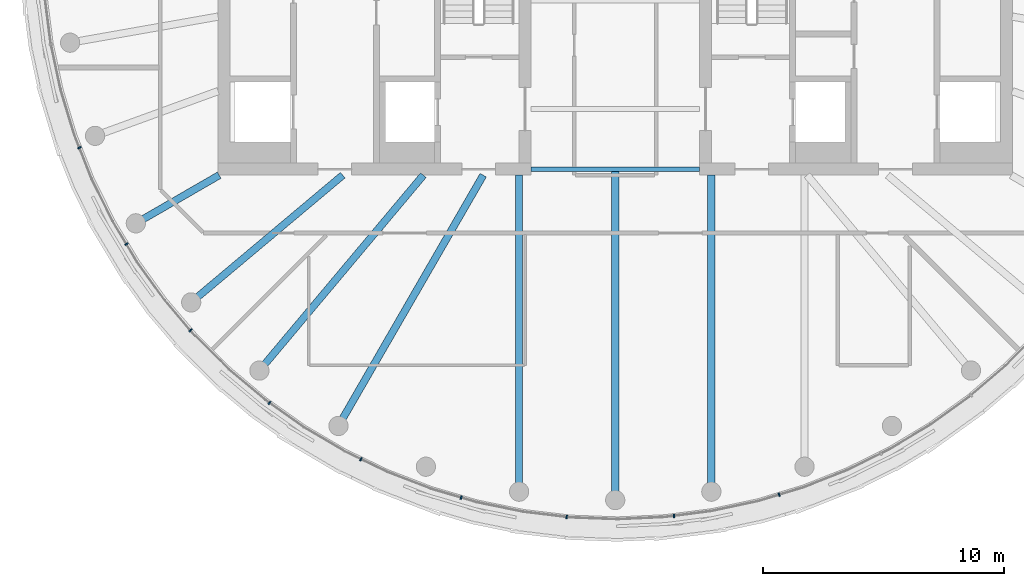
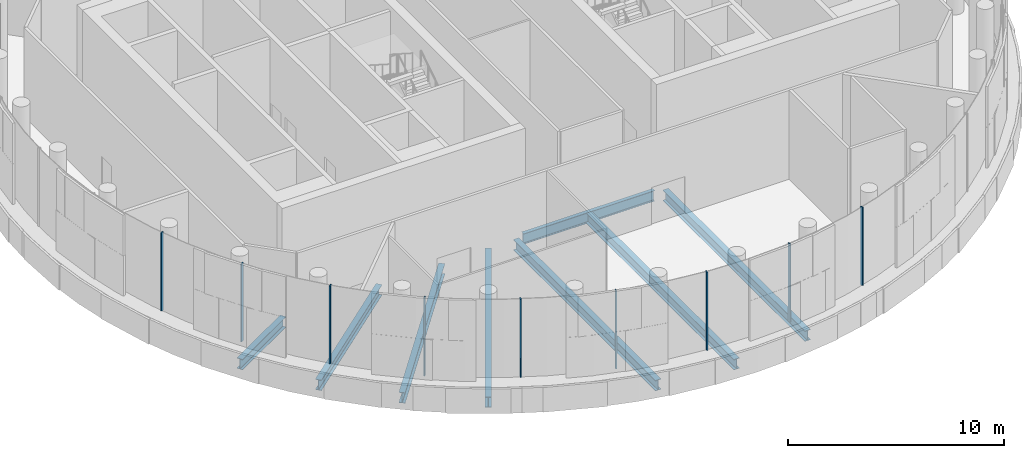
# One storey, part 2 of 18: 9 members, 8 beams, 1 element without a shape of its own.
"""IFC4 building model written with IfcOpenShell, lengths in metres."""

import ifcopenshell
import ifcopenshell.guid

model = None  # the IFC model being written
_history = None  # IfcOwnerHistory: only IFC2X3 demands one
_inside = {}  # id of a spatial element -> (the spatial element, [elements in it])
_under = {}  # id of a project, library or spatial element -> (it, [spatial elements below it])
_declared = {}  # id of a project -> (the project, [libraries it declares])
_typed = {}  # id of a type object -> (the type object, [elements of that type])
_made_of = {}  # id of a material, layer set ... -> (it, [elements and type objects made of it])


def new_model(schema):
    """Start an empty IFC model of exactly this schema.

    Asked for "IFC4X3", IfcOpenShell would pick the latest addendum, in which some entities
    have other attributes; the version numbers below select the first issue.
    IFC2X3 requires an IfcOwnerHistory on every rooted entity: one is made here for all.
    """
    global model, _history
    if schema == "IFC4X3":
        model = ifcopenshell.file(schema_version=(4, 3, 0, 0))
    else:
        model = ifcopenshell.file(schema=schema)
    _inside.clear()
    _under.clear()
    _declared.clear()
    _typed.clear()
    _made_of.clear()
    _history = None
    if model.schema == "IFC2X3":
        org = make("IfcOrganization", Name="unknown")
        user = make(
            "IfcPersonAndOrganization",
            ThePerson=make("IfcPerson", FamilyName="unknown"),
            TheOrganization=org,
        )
        app = make(
            "IfcApplication",
            ApplicationDeveloper=org,
            Version="unknown",
            ApplicationFullName="unknown",
            ApplicationIdentifier="unknown",
        )
        _history = make(
            "IfcOwnerHistory",
            OwningUser=user,
            OwningApplication=app,
            ChangeAction="ADDED",
            CreationDate=0,
        )
    return model


def make(cls, **values):
    """One entity of the class cls with the attributes given. An attribute that is None is left unset."""
    return model.create_entity(
        cls, **{name: value for name, value in values.items() if value is not None}
    )


def rooted(cls, **values):
    """An entity with a GlobalId (a new one), such as an element, a storey or a relation."""
    return make(cls, GlobalId=ifcopenshell.guid.new(), OwnerHistory=_history, **values)


def si_unit(unit_type, name, prefix=None):
    """IfcSIUnit, for example si_unit("LENGTHUNIT", "METRE", prefix="MILLI")."""
    return make("IfcSIUnit", UnitType=unit_type, Prefix=prefix, Name=name)


def assignment(units):
    """IfcUnitAssignment: the units of a project."""
    return None if units is None else make("IfcUnitAssignment", Units=units)


def point(xyz):
    """IfcCartesianPoint."""
    return None if xyz is None else make("IfcCartesianPoint", Coordinates=xyz)


def direction(xyz):
    """IfcDirection."""
    return None if xyz is None else make("IfcDirection", DirectionRatios=xyz)


def frame(location, z_axis=None, x_axis=None):
    """IfcAxis2Placement3D, a coordinate frame: its origin and axes. An axis left out is left unset."""
    return make(
        "IfcAxis2Placement3D",
        Location=point(location),
        Axis=direction(z_axis),
        RefDirection=direction(x_axis),
    )


def frame_2d(location, x_axis=None):
    """IfcAxis2Placement2D, a coordinate frame in the plane: its origin and x axis."""
    return make(
        "IfcAxis2Placement2D", Location=point(location), RefDirection=direction(x_axis)
    )


def origin():
    """The frame at (0, 0, 0) with its axes left unset."""
    return frame((0.0, 0.0, 0.0))


def origin_2d():
    """The frame at (0, 0) in the plane with its x axis left unset."""
    return frame_2d((0.0, 0.0))


def place(relative_to, where):
    """IfcLocalPlacement: puts the frame where relative to a parent placement (None: the world)."""
    return make(
        "IfcLocalPlacement", PlacementRelTo=relative_to, RelativePlacement=where
    )


def context(
    kind, dimensions, precision=None, world=None, true_north=None, identifier=None
):
    """IfcGeometricRepresentationContext, for example the 3D "Model" context."""
    return make(
        "IfcGeometricRepresentationContext",
        ContextIdentifier=identifier,
        ContextType=kind,
        CoordinateSpaceDimension=dimensions,
        Precision=precision,
        WorldCoordinateSystem=world,
        TrueNorth=true_north,
    )


def subcontext(parent, identifier, kind, view, scale=None):
    """IfcGeometricRepresentationSubContext, for example "Body" below "Model"."""
    return make(
        "IfcGeometricRepresentationSubContext",
        ContextIdentifier=identifier,
        ContextType=kind,
        ParentContext=parent,
        TargetScale=scale,
        TargetView=view,
    )


def project(units=None, contexts=None):
    """IfcProject with its units and contexts."""
    return rooted(
        "IfcProject",
        Name="project",
        RepresentationContexts=contexts,
        UnitsInContext=assignment(units),
    )


def spatial(cls, under=None, at=None, **own):
    """A site, building, storey or space (cls), placed at a placement, below another one or the project."""
    s = rooted(cls, ObjectPlacement=at, **own)
    if under is not None:
        _under.setdefault(under.id(), (under, []))[1].append(s)
    return s


def profile(cls, at=None, kind="AREA", **sizes):
    """A parametric profile (cls). Its sizes go by their IFC names, for example OverallWidth=200.0."""
    return make(cls, ProfileType=kind, Position=at, **sizes)


def rectangle(**sizes):
    """IfcRectangleProfileDef."""
    return profile("IfcRectangleProfileDef", **sizes)


def i_section(**sizes):
    """IfcIShapeProfileDef."""
    return profile("IfcIShapeProfileDef", **sizes)


def extrude(swept, where, along, depth):
    """IfcExtrudedAreaSolid: the profile swept, set in the frame where, extruded along a direction by depth."""
    return make(
        "IfcExtrudedAreaSolid",
        SweptArea=swept,
        Position=where,
        ExtrudedDirection=direction(along),
        Depth=depth,
    )


def shape(context_of_items, identifier, shape_type, items):
    """IfcShapeRepresentation: the items that make up one representation, for example the "Body"."""
    return make(
        "IfcShapeRepresentation",
        ContextOfItems=context_of_items,
        RepresentationIdentifier=identifier,
        RepresentationType=shape_type,
        Items=items,
    )


def material(Name=None, Category=None):
    """IfcMaterial."""
    return make("IfcMaterial", Name=Name, Category=Category)


def layer(
    of_material, thickness, ventilated=None, Name=None, Category=None, Priority=None
):
    """IfcMaterialLayer: one layer of a wall or slab, of a material (None: an air gap)."""
    return make(
        "IfcMaterialLayer",
        Material=of_material,
        LayerThickness=thickness,
        IsVentilated=ventilated,
        Name=Name,
        Category=Category,
        Priority=Priority,
    )


def layer_set(layers, Name=None):
    """IfcMaterialLayerSet."""
    return make("IfcMaterialLayerSet", MaterialLayers=layers, LayerSetName=Name)


def material_profile(
    of_material, cross_section, Name=None, Category=None, Priority=None
):
    """IfcMaterialProfile: a cross section and its material."""
    return make(
        "IfcMaterialProfile",
        Name=Name,
        Material=of_material,
        Profile=cross_section,
        Priority=Priority,
        Category=Category,
    )


def profile_set(profiles, Name=None, composite=None):
    """IfcMaterialProfileSet."""
    return make(
        "IfcMaterialProfileSet",
        Name=Name,
        MaterialProfiles=profiles,
        CompositeProfile=composite,
    )


def made_of(thing, what):
    """Note that an element or type object is made of a material, layer set ...; save() writes the relation."""
    if what is not None:
        _made_of.setdefault(what.id(), (what, []))[1].append(thing)
    return thing


def type_object(cls, material=None, **own):
    """A type object (cls), such as IfcWallType, which elements share."""
    return made_of(rooted(cls, **own), material)


def element(
    cls,
    number,
    at=None,
    inside=None,
    cuts=None,
    type_object=None,
    material=None,
    context=None,
    identifier="Body",
    shape_type=None,
    held_by="IfcProductDefinitionShape",
    body=None,
    shapes=None,
    **own,
):
    """One element of the class cls, such as IfcWall. Its Tag is "e" and its number.

    at: its placement. inside: the storey or other place that contains it. cuts: it is an
    opening in that element (IfcRelVoidsElement). A single representation is given by context,
    identifier, shape_type and body (its items); several are given by shapes. held_by: the class
    of the entity that holds the representations. save() writes the other relations.
    """
    e = rooted(cls, Tag="e%d" % number, ObjectPlacement=at, **own)
    if body is not None:
        shapes = [shape(context, identifier, shape_type, body)]
    if shapes is not None:
        e.Representation = make(held_by, Representations=shapes)
    if inside is not None:
        _inside.setdefault(inside.id(), (inside, []))[1].append(e)
    if cuts is not None:
        rooted(
            "IfcRelVoidsElement", RelatingBuildingElement=cuts, RelatedOpeningElement=e
        )
    if type_object is not None:
        _typed.setdefault(type_object.id(), (type_object, []))[1].append(e)
    return made_of(e, material)


def aggregate(whole, parts):
    """IfcRelAggregates: a whole, such as a stair, and the parts it consists of."""
    return rooted("IfcRelAggregates", RelatingObject=whole, RelatedObjects=parts)


def save(model, path):
    """Write the relations noted so far, then the file.

    IfcRelAggregates (storeys below a building ...), IfcRelContainedInSpatialStructure (elements
    in a storey), IfcRelDefinesByType, IfcRelAssociatesMaterial and IfcRelDeclares: one each for
    every whole, place, type object, material and project.
    """
    for whole, parts in _under.values():
        aggregate(whole, parts)
    for where, things in _inside.values():
        rooted(
            "IfcRelContainedInSpatialStructure",
            RelatedElements=things,
            RelatingStructure=where,
        )
    for kind, things in _typed.values():
        rooted("IfcRelDefinesByType", RelatedObjects=things, RelatingType=kind)
    for what, things in _made_of.values():
        rooted("IfcRelAssociatesMaterial", RelatedObjects=things, RelatingMaterial=what)
    for by, libraries in _declared.values():
        rooted("IfcRelDeclares", RelatingContext=by, RelatedDefinitions=libraries)
    model.write(path)


model = new_model("IFC4")

# Units and contexts
model_context = context("Model", 3, precision=1e-05, world=origin(), true_north=direction((0.0, 1.0)))
body_context = subcontext(model_context, "Body", "Model", "MODEL_VIEW")
ifc_project = project(units=[si_unit("LENGTHUNIT", "METRE"), si_unit("AREAUNIT", "SQUARE_METRE"), si_unit("VOLUMEUNIT", "CUBIC_METRE"), si_unit("PLANEANGLEUNIT", "RADIAN"), si_unit("MASSUNIT", "GRAM", prefix="KILO")], contexts=[model_context])

# Site, building, storey
site_placement = place(None, origin())
site = spatial("IfcSite", under=ifc_project, at=site_placement, CompositionType="ELEMENT")
building_placement = place(site_placement, origin())
building = spatial("IfcBuilding", under=site, at=building_placement, Name="Tamarind Cross Interchange Tower", CompositionType="ELEMENT")
storey_placement = place(building_placement, frame((0.0, 0.0, 299.39990234375)))
storey = spatial("IfcBuildingStorey", under=building, at=storey_placement, Name="L74", CompositionType="ELEMENT", Elevation=299.39990234375)

# Beams
ifc_material_1 = material(Name="Steel Q355B", Category="steel")
ifc_material_profile_1 = material_profile(ifc_material_1, i_section(OverallWidth=0.302001953125, OverallDepth=0.593994140625, WebThickness=0.013916015625, FlangeThickness=0.02294921875, FilletRadius=0.01806640625, at=origin_2d()), Name="HM 594x302x14x23")
ifc_profile_set_1 = profile_set([ifc_material_profile_1], Name="Steel Q355B")
beam_type_1 = type_object("IfcBeamType", Name="Composite beam HM 594x302x14x23 Q355B", PredefinedType="BEAM", material=ifc_profile_set_1)
beam_1_placement = place(storey_placement, frame((-19.918701171875, -11.5, -0.546875), z_axis=(0.866026010844, 0.49999894854, 0.0), x_axis=(-0.49999894854, 0.866026010844, 0.0)))
element("IfcBeam", 1, at=beam_1_placement, inside=storey, type_object=beam_type_1, Name="Beam HH21", PredefinedType="BEAM", context=body_context, shape_type="SweptSolid", body=[
    extrude(i_section(OverallWidth=0.302001953125, OverallDepth=0.593994140625, WebThickness=0.013916015625, FlangeThickness=0.02294921875, FilletRadius=0.01806640625, at=origin_2d()), origin(), (0.0, 0.0, 1.0), 4.0),
])
beam_2_placement = place(storey_placement, frame((-17.619140625, -14.7841796875, -0.546875), z_axis=(0.766040580814, 0.642792212574, 0.0), x_axis=(-0.642792212574, 0.766040580814, 0.0)))
element("IfcBeam", 2, at=beam_2_placement, inside=storey, type_object=beam_type_1, Name="Beam HH22", PredefinedType="BEAM", context=body_context, shape_type="SweptSolid", body=[
    extrude(i_section(OverallWidth=0.302001953125, OverallDepth=0.593994140625, WebThickness=0.013916015625, FlangeThickness=0.02294921875, FilletRadius=0.01806640625, at=origin_2d()), origin(), (0.0, 0.0, 1.0), 8.220703125),
])
beam_3_placement = place(storey_placement, frame((-14.7841796875, -17.619140625, -0.546875), z_axis=(0.642786293979, 0.766045547127, 0.0), x_axis=(-0.766045547127, 0.642786293979, 0.0)))
element("IfcBeam", 3, at=beam_3_placement, inside=storey, type_object=beam_type_1, Name="Beam HH23", PredefinedType="BEAM", context=body_context, shape_type="SweptSolid", body=[
    extrude(i_section(OverallWidth=0.302001953125, OverallDepth=0.593994140625, WebThickness=0.013916015625, FlangeThickness=0.02294921875, FilletRadius=0.01806640625, at=origin_2d()), origin(), (0.0, 0.0, 1.0), 10.598876953125),
])
beam_4_placement = place(storey_placement, frame((-11.5, -19.918701171875, -0.546875), z_axis=(0.499993565836, 0.866029118519, 0.0), x_axis=(-0.866029118519, 0.499993565836, 0.0)))
element("IfcBeam", 4, at=beam_4_placement, inside=storey, type_object=beam_type_1, Name="Beam HH24", PredefinedType="BEAM", context=body_context, shape_type="SweptSolid", body=[
    extrude(i_section(OverallWidth=0.302001953125, OverallDepth=0.593994140625, WebThickness=0.013916015625, FlangeThickness=0.02294921875, FilletRadius=0.01806640625, at=origin_2d()), origin(), (0.0, 0.0, 1.0), 12.030517578125),
])
beam_5_placement = place(storey_placement, frame((-3.993896484375, -22.650634765625, -0.546875), z_axis=(0.0, 1.0, 0.0), x_axis=(-1.0, 0.0, 0.0)))
element("IfcBeam", 5, at=beam_5_placement, inside=storey, type_object=beam_type_1, Name="Beam HH26", PredefinedType="BEAM", context=body_context, shape_type="SweptSolid", body=[
    extrude(i_section(OverallWidth=0.302001953125, OverallDepth=0.593994140625, WebThickness=0.013916015625, FlangeThickness=0.02294921875, FilletRadius=0.01806640625, at=origin_2d()), origin(), (0.0, 0.0, 1.0), 13.150634765625),
])
beam_6_placement = place(storey_placement, frame((0.0, -23.0, -0.546875), z_axis=(0.0, 1.0, 0.0), x_axis=(-1.0, 0.0, 0.0)))
element("IfcBeam", 6, at=beam_6_placement, inside=storey, type_object=beam_type_1, Name="Beam HH27", PredefinedType="BEAM", context=body_context, shape_type="SweptSolid", body=[
    extrude(i_section(OverallWidth=0.302001953125, OverallDepth=0.593994140625, WebThickness=0.013916015625, FlangeThickness=0.02294921875, FilletRadius=0.01806640625, at=origin_2d()), origin(), (0.0, 0.0, 1.0), 13.75),
])
beam_7_placement = place(storey_placement, frame((3.993896484375, -22.650634765625, -0.546875), z_axis=(0.0, 1.0, 0.0), x_axis=(-1.0, 0.0, 0.0)))
element("IfcBeam", 7, at=beam_7_placement, inside=storey, type_object=beam_type_1, Name="Beam HH28", PredefinedType="BEAM", context=body_context, shape_type="SweptSolid", body=[
    extrude(i_section(OverallWidth=0.302001953125, OverallDepth=0.593994140625, WebThickness=0.013916015625, FlangeThickness=0.02294921875, FilletRadius=0.01806640625, at=origin_2d()), origin(), (0.0, 0.0, 1.0), 13.150634765625),
])
ifc_material_profile_2 = material_profile(ifc_material_1, i_section(OverallWidth=0.198974609375, OverallDepth=0.595947265625, WebThickness=0.010009765625, FlangeThickness=0.014892578125, FilletRadius=0.012939453125, at=origin_2d()), Name="HN 596x199x10x15")
ifc_profile_set_2 = profile_set([ifc_material_profile_2], Name="Steel Q355B")
beam_type_2 = type_object("IfcBeamType", Name="Composite beam HN 596x199x10x15 Q355B", PredefinedType="BEAM", material=ifc_profile_set_2)
beam_8_placement = place(storey_placement, frame((-3.5, -9.25, -0.5478515625), z_axis=(1.0, 0.0, 0.0), x_axis=(0.0, 1.0, 0.0)))
element("IfcBeam", 8, at=beam_8_placement, inside=storey, type_object=beam_type_2, Name="Beam G-9.25", PredefinedType="BEAM", context=body_context, shape_type="SweptSolid", body=[
    extrude(i_section(OverallWidth=0.198974609375, OverallDepth=0.595947265625, WebThickness=0.010009765625, FlangeThickness=0.014892578125, FilletRadius=0.012939453125, at=origin_2d()), origin(), (0.0, 0.0, 1.0), 7.0),
])

# Curtain wall, members
ifc_material_2 = material(Name="Aluminium 6063-T6", Category="aluminium")
ifc_layer = layer(ifc_material_2, 0.14990234375)
ifc_layer_set = layer_set([ifc_layer], Name="Aluminium 6063-T6")
curtain_wall_type = type_object("IfcCurtainWallType", Name="Winter garden and crown curtain wall", PredefinedType="NOTDEFINED", material=ifc_layer_set)
curtain_wall_placement = place(storey_placement, origin())
curtain_wall = element("IfcCurtainWall", 9, at=curtain_wall_placement, inside=storey, type_object=curtain_wall_type, Name="CWS-L74-02", PredefinedType="NOTDEFINED")
ifc_material_profile_3 = material_profile(ifc_material_2, rectangle(XDim=0.06005859375, YDim=0.14990234375, at=origin_2d()), Name="Mullion CW6")
ifc_profile_set_3 = profile_set([ifc_material_profile_3], Name="Aluminium 6063-T6")
member_type = type_object("IfcMemberType", Name="Mullion CW6", PredefinedType="MULLION", material=ifc_profile_set_3)
member_1_placement = place(storey_placement, frame((-22.26123046875, -8.35888671875, 1.400146484375), z_axis=(0.0, 0.0, 1.0), x_axis=(0.367513773146, -0.930018078613, 0.0)))
member_1 = element("IfcMember", 10, at=member_1_placement, type_object=member_type, Name="CWM-L74-02-07", PredefinedType="MULLION", context=body_context, shape_type="SweptSolid", body=[
    extrude(rectangle(XDim=0.06005859375, YDim=0.14990234375, at=origin_2d()), origin(), (0.0, 0.0, 1.0), 4.419921875),
])
member_2_placement = place(storey_placement, frame((-20.306640625, -12.366455078125, 1.400146484375), z_axis=(0.0, 0.0, 1.0), x_axis=(0.515577308909, -0.856843065292, 0.0)))
member_2 = element("IfcMember", 11, at=member_2_placement, type_object=member_type, Name="CWM-L74-02-08", PredefinedType="MULLION", context=body_context, shape_type="SweptSolid", body=[
    extrude(rectangle(XDim=0.06005859375, YDim=0.14990234375, at=origin_2d()), origin(), (0.0, 0.0, 1.0), 4.419921875),
])
member_3_placement = place(storey_placement, frame((-17.6474609375, -15.946044921875, 1.400146484375), z_axis=(0.0, 0.0, 1.0), x_axis=(0.64957723968, -0.760295606781, 0.0)))
member_3 = element("IfcMember", 12, at=member_3_placement, type_object=member_type, Name="CWM-L74-02-09", PredefinedType="MULLION", context=body_context, shape_type="SweptSolid", body=[
    extrude(rectangle(XDim=0.06005859375, YDim=0.14990234375, at=origin_2d()), origin(), (0.0, 0.0, 1.0), 4.419921875),
])
member_4_placement = place(storey_placement, frame((-14.36328125, -18.962158203125, 1.400146484375), z_axis=(0.0, 0.0, 1.0), x_axis=(0.816341886298, -0.577568978284, 0.0)))
member_4 = element("IfcMember", 13, at=member_4_placement, type_object=member_type, Name="CWM-L74-02-10", PredefinedType="MULLION", context=body_context, shape_type="SweptSolid", body=[
    extrude(rectangle(XDim=0.06005859375, YDim=0.14990234375, at=origin_2d()), origin(), (0.0, 0.0, 1.0), 4.419921875),
])
member_5_placement = place(storey_placement, frame((-10.56591796875, -21.300048828125, 1.400146484375), z_axis=(0.0, 0.0, 1.0), x_axis=(0.900272776334, -0.435326231914, 0.0)))
member_5 = element("IfcMember", 14, at=member_5_placement, type_object=member_type, Name="CWM-L74-02-11", PredefinedType="MULLION", context=body_context, shape_type="SweptSolid", body=[
    extrude(rectangle(XDim=0.06005859375, YDim=0.14990234375, at=origin_2d()), origin(), (0.0, 0.0, 1.0), 4.419921875),
])
member_6_placement = place(storey_placement, frame((-6.40380859375, -22.898681640625, 1.400146484375), z_axis=(0.0, 0.0, 1.0), x_axis=(0.95964657186, -0.281208920763, 0.0)))
member_6 = element("IfcMember", 15, at=member_6_placement, type_object=member_type, Name="CWM-L74-02-12", PredefinedType="MULLION", context=body_context, shape_type="SweptSolid", body=[
    extrude(rectangle(XDim=0.06005859375, YDim=0.14990234375, at=origin_2d()), origin(), (0.0, 0.0, 1.0), 4.419921875),
])
member_7_placement = place(storey_placement, frame((-2.017578125, -23.7041015625, 1.400146484375), z_axis=(0.0, 0.0, 1.0), x_axis=(0.992843710523, -0.119420963295, 0.0)))
member_7 = element("IfcMember", 16, at=member_7_placement, type_object=member_type, Name="CWM-L74-02-13", PredefinedType="MULLION", context=body_context, shape_type="SweptSolid", body=[
    extrude(rectangle(XDim=0.06005859375, YDim=0.14990234375, at=origin_2d()), origin(), (0.0, 0.0, 1.0), 4.419921875),
])
member_8_placement = place(storey_placement, frame((2.44140625, -23.657470703125, 1.400146484375), z_axis=(0.0, 0.0, 1.0), x_axis=(0.991779070368, 0.127962008342, 0.0)))
member_8 = element("IfcMember", 17, at=member_8_placement, type_object=member_type, Name="CWM-L74-02-14", PredefinedType="MULLION", context=body_context, shape_type="SweptSolid", body=[
    extrude(rectangle(XDim=0.06005859375, YDim=0.14990234375, at=origin_2d()), origin(), (0.0, 0.0, 1.0), 4.419921875),
])
member_9_placement = place(storey_placement, frame((6.81298828125, -22.778564453125, 1.400146484375), z_axis=(0.0, 0.0, 1.0), x_axis=(0.957190642199, 0.289458243079, 0.0)))
member_9 = element("IfcMember", 18, at=member_9_placement, type_object=member_type, Name="CWM-L74-02-15", PredefinedType="MULLION", context=body_context, shape_type="SweptSolid", body=[
    extrude(rectangle(XDim=0.06005859375, YDim=0.14990234375, at=origin_2d()), origin(), (0.0, 0.0, 1.0), 4.419921875),
])
aggregate(curtain_wall, [member_1, member_2, member_3, member_4, member_5, member_6, member_7, member_8, member_9])

save(model, "model.ifc")
